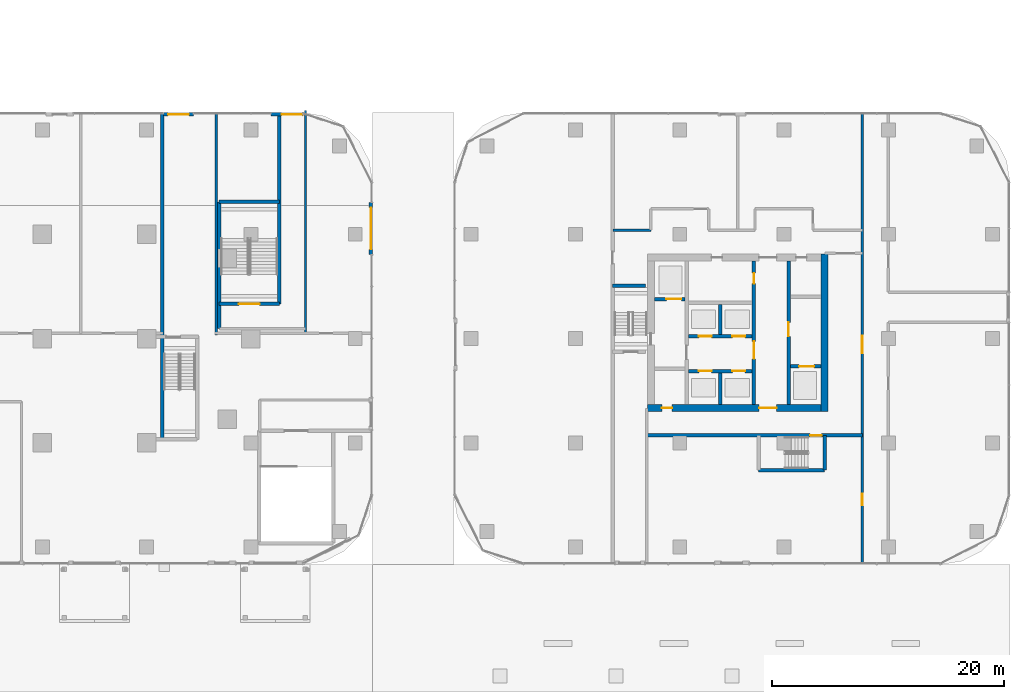
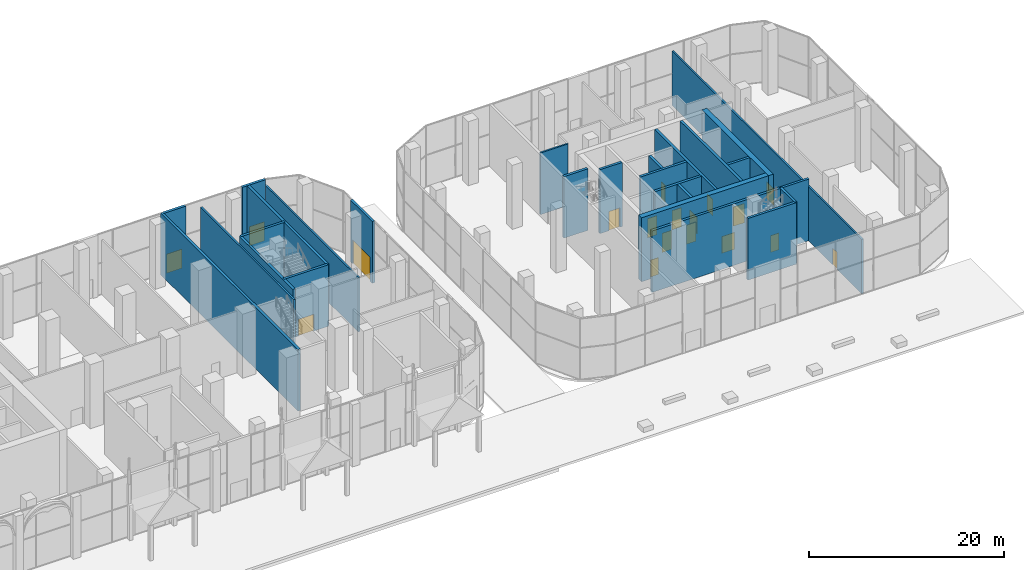
# One storey, part 33 of 54: 26 walls, 18 doors, 18 openings.
"""IFC4 building model written with IfcOpenShell, lengths in metres."""

import ifcopenshell
import ifcopenshell.guid

model = None  # the IFC model being written
_history = None  # IfcOwnerHistory: only IFC2X3 demands one
_inside = {}  # id of a spatial element -> (the spatial element, [elements in it])
_under = {}  # id of a project, library or spatial element -> (it, [spatial elements below it])
_declared = {}  # id of a project -> (the project, [libraries it declares])
_typed = {}  # id of a type object -> (the type object, [elements of that type])
_made_of = {}  # id of a material, layer set ... -> (it, [elements and type objects made of it])


def new_model(schema):
    """Start an empty IFC model of exactly this schema.

    Asked for "IFC4X3", IfcOpenShell would pick the latest addendum, in which some entities
    have other attributes; the version numbers below select the first issue.
    IFC2X3 requires an IfcOwnerHistory on every rooted entity: one is made here for all.
    """
    global model, _history
    if schema == "IFC4X3":
        model = ifcopenshell.file(schema_version=(4, 3, 0, 0))
    else:
        model = ifcopenshell.file(schema=schema)
    _inside.clear()
    _under.clear()
    _declared.clear()
    _typed.clear()
    _made_of.clear()
    _history = None
    if model.schema == "IFC2X3":
        org = make("IfcOrganization", Name="unknown")
        user = make(
            "IfcPersonAndOrganization",
            ThePerson=make("IfcPerson", FamilyName="unknown"),
            TheOrganization=org,
        )
        app = make(
            "IfcApplication",
            ApplicationDeveloper=org,
            Version="unknown",
            ApplicationFullName="unknown",
            ApplicationIdentifier="unknown",
        )
        _history = make(
            "IfcOwnerHistory",
            OwningUser=user,
            OwningApplication=app,
            ChangeAction="ADDED",
            CreationDate=0,
        )
    return model


def make(cls, **values):
    """One entity of the class cls with the attributes given. An attribute that is None is left unset."""
    return model.create_entity(
        cls, **{name: value for name, value in values.items() if value is not None}
    )


def rooted(cls, **values):
    """An entity with a GlobalId (a new one), such as an element, a storey or a relation."""
    return make(cls, GlobalId=ifcopenshell.guid.new(), OwnerHistory=_history, **values)


def si_unit(unit_type, name, prefix=None):
    """IfcSIUnit, for example si_unit("LENGTHUNIT", "METRE", prefix="MILLI")."""
    return make("IfcSIUnit", UnitType=unit_type, Prefix=prefix, Name=name)


def assignment(units):
    """IfcUnitAssignment: the units of a project."""
    return None if units is None else make("IfcUnitAssignment", Units=units)


def point(xyz):
    """IfcCartesianPoint."""
    return None if xyz is None else make("IfcCartesianPoint", Coordinates=xyz)


def direction(xyz):
    """IfcDirection."""
    return None if xyz is None else make("IfcDirection", DirectionRatios=xyz)


def frame(location, z_axis=None, x_axis=None):
    """IfcAxis2Placement3D, a coordinate frame: its origin and axes. An axis left out is left unset."""
    return make(
        "IfcAxis2Placement3D",
        Location=point(location),
        Axis=direction(z_axis),
        RefDirection=direction(x_axis),
    )


def frame_2d(location, x_axis=None):
    """IfcAxis2Placement2D, a coordinate frame in the plane: its origin and x axis."""
    return make(
        "IfcAxis2Placement2D", Location=point(location), RefDirection=direction(x_axis)
    )


def origin():
    """The frame at (0, 0, 0) with its axes left unset."""
    return frame((0.0, 0.0, 0.0))


def place(relative_to, where):
    """IfcLocalPlacement: puts the frame where relative to a parent placement (None: the world)."""
    return make(
        "IfcLocalPlacement", PlacementRelTo=relative_to, RelativePlacement=where
    )


def context(
    kind, dimensions, precision=None, world=None, true_north=None, identifier=None
):
    """IfcGeometricRepresentationContext, for example the 3D "Model" context."""
    return make(
        "IfcGeometricRepresentationContext",
        ContextIdentifier=identifier,
        ContextType=kind,
        CoordinateSpaceDimension=dimensions,
        Precision=precision,
        WorldCoordinateSystem=world,
        TrueNorth=true_north,
    )


def subcontext(parent, identifier, kind, view, scale=None):
    """IfcGeometricRepresentationSubContext, for example "Body" below "Model"."""
    return make(
        "IfcGeometricRepresentationSubContext",
        ContextIdentifier=identifier,
        ContextType=kind,
        ParentContext=parent,
        TargetScale=scale,
        TargetView=view,
    )


def project(units=None, contexts=None):
    """IfcProject with its units and contexts."""
    return rooted(
        "IfcProject",
        Name="project",
        RepresentationContexts=contexts,
        UnitsInContext=assignment(units),
    )


def spatial(cls, under=None, at=None, **own):
    """A site, building, storey or space (cls), placed at a placement, below another one or the project."""
    s = rooted(cls, ObjectPlacement=at, **own)
    if under is not None:
        _under.setdefault(under.id(), (under, []))[1].append(s)
    return s


def profile(cls, at=None, kind="AREA", **sizes):
    """A parametric profile (cls). Its sizes go by their IFC names, for example OverallWidth=200.0."""
    return make(cls, ProfileType=kind, Position=at, **sizes)


def rectangle(**sizes):
    """IfcRectangleProfileDef."""
    return profile("IfcRectangleProfileDef", **sizes)


def extrude(swept, where, along, depth):
    """IfcExtrudedAreaSolid: the profile swept, set in the frame where, extruded along a direction by depth."""
    return make(
        "IfcExtrudedAreaSolid",
        SweptArea=swept,
        Position=where,
        ExtrudedDirection=direction(along),
        Depth=depth,
    )


def shape(context_of_items, identifier, shape_type, items):
    """IfcShapeRepresentation: the items that make up one representation, for example the "Body"."""
    return make(
        "IfcShapeRepresentation",
        ContextOfItems=context_of_items,
        RepresentationIdentifier=identifier,
        RepresentationType=shape_type,
        Items=items,
    )


def material(Name=None, Category=None):
    """IfcMaterial."""
    return make("IfcMaterial", Name=Name, Category=Category)


def layer(
    of_material, thickness, ventilated=None, Name=None, Category=None, Priority=None
):
    """IfcMaterialLayer: one layer of a wall or slab, of a material (None: an air gap)."""
    return make(
        "IfcMaterialLayer",
        Material=of_material,
        LayerThickness=thickness,
        IsVentilated=ventilated,
        Name=Name,
        Category=Category,
        Priority=Priority,
    )


def layer_set(layers, Name=None):
    """IfcMaterialLayerSet."""
    return make("IfcMaterialLayerSet", MaterialLayers=layers, LayerSetName=Name)


def made_of(thing, what):
    """Note that an element or type object is made of a material, layer set ...; save() writes the relation."""
    if what is not None:
        _made_of.setdefault(what.id(), (what, []))[1].append(thing)
    return thing


def type_object(cls, material=None, **own):
    """A type object (cls), such as IfcWallType, which elements share."""
    return made_of(rooted(cls, **own), material)


def element(
    cls,
    number,
    at=None,
    inside=None,
    cuts=None,
    type_object=None,
    material=None,
    context=None,
    identifier="Body",
    shape_type=None,
    held_by="IfcProductDefinitionShape",
    body=None,
    shapes=None,
    **own,
):
    """One element of the class cls, such as IfcWall. Its Tag is "e" and its number.

    at: its placement. inside: the storey or other place that contains it. cuts: it is an
    opening in that element (IfcRelVoidsElement). A single representation is given by context,
    identifier, shape_type and body (its items); several are given by shapes. held_by: the class
    of the entity that holds the representations. save() writes the other relations.
    """
    e = rooted(cls, Tag="e%d" % number, ObjectPlacement=at, **own)
    if body is not None:
        shapes = [shape(context, identifier, shape_type, body)]
    if shapes is not None:
        e.Representation = make(held_by, Representations=shapes)
    if inside is not None:
        _inside.setdefault(inside.id(), (inside, []))[1].append(e)
    if cuts is not None:
        rooted(
            "IfcRelVoidsElement", RelatingBuildingElement=cuts, RelatedOpeningElement=e
        )
    if type_object is not None:
        _typed.setdefault(type_object.id(), (type_object, []))[1].append(e)
    return made_of(e, material)


def fill(opening, filler):
    """IfcRelFillsElement: the door or window that sits in an opening."""
    return rooted(
        "IfcRelFillsElement",
        RelatingOpeningElement=opening,
        RelatedBuildingElement=filler,
    )


def aggregate(whole, parts):
    """IfcRelAggregates: a whole, such as a stair, and the parts it consists of."""
    return rooted("IfcRelAggregates", RelatingObject=whole, RelatedObjects=parts)


def save(model, path):
    """Write the relations noted so far, then the file.

    IfcRelAggregates (storeys below a building ...), IfcRelContainedInSpatialStructure (elements
    in a storey), IfcRelDefinesByType, IfcRelAssociatesMaterial and IfcRelDeclares: one each for
    every whole, place, type object, material and project.
    """
    for whole, parts in _under.values():
        aggregate(whole, parts)
    for where, things in _inside.values():
        rooted(
            "IfcRelContainedInSpatialStructure",
            RelatedElements=things,
            RelatingStructure=where,
        )
    for kind, things in _typed.values():
        rooted("IfcRelDefinesByType", RelatedObjects=things, RelatingType=kind)
    for what, things in _made_of.values():
        rooted("IfcRelAssociatesMaterial", RelatedObjects=things, RelatingMaterial=what)
    for by, libraries in _declared.values():
        rooted("IfcRelDeclares", RelatingContext=by, RelatedDefinitions=libraries)
    model.write(path)


model = new_model("IFC4")

# Units and contexts
model_context = context("Model", 3, precision=1e-05, world=origin(), true_north=direction((0.0, 1.0)))
body_context = subcontext(model_context, "Body", "Model", "MODEL_VIEW")
ifc_project = project(units=[si_unit("LENGTHUNIT", "METRE"), si_unit("AREAUNIT", "SQUARE_METRE"), si_unit("VOLUMEUNIT", "CUBIC_METRE"), si_unit("PLANEANGLEUNIT", "RADIAN"), si_unit("MASSUNIT", "GRAM", prefix="KILO")], contexts=[model_context])

# Site, building, storey
site_placement = place(None, origin())
site = spatial("IfcSite", under=ifc_project, at=site_placement, CompositionType="ELEMENT")
building_placement = place(site_placement, origin())
building = spatial("IfcBuilding", under=site, at=building_placement, Name="Ogive Portal Towers", CompositionType="ELEMENT")
storey_placement = place(building_placement, origin())
storey = spatial("IfcBuildingStorey", under=building, at=storey_placement, Name="L00", CompositionType="ELEMENT", Elevation=0.0)

# Wall, openings, doors
ifc_material_1 = material(Name="Concrete C60/75", Category="concrete")
ifc_layer_1 = layer(ifc_material_1, 0.300048828125)
ifc_layer_set_1 = layer_set([ifc_layer_1], Name="CORE WALL 300 C60")
wall_type_1 = type_object("IfcWallType", Name="CORE WALL 300 C60", PredefinedType="SHEAR", material=ifc_layer_set_1)
wall_1_placement = place(storey_placement, frame((137.89990234375, 24.800048828125, 0.0), z_axis=(0.0, 0.0, 1.0), x_axis=(0.0, 1.0, 0.0)))
wall_1 = element("IfcWall", 1, at=wall_1_placement, inside=storey, type_object=wall_type_1, Name="Tower B core wall BX2 L00", PredefinedType="SHEAR", context=body_context, shape_type="SweptSolid", body=[
    extrude(rectangle(XDim=12.39990234375, YDim=0.300048828125, at=frame_2d((6.199951171875, 0.0))), origin(), (0.0, 0.0, 1.0), 8.0),
])
opening_1_placement = place(wall_1_placement, frame((3.949951171875, 0.0, 0.0)))
opening_1 = element("IfcOpeningElement", 2, at=opening_1_placement, cuts=wall_1, Name="Opening P00-044", PredefinedType="OPENING", context=body_context, shape_type="SweptSolid", body=[
    extrude(rectangle(XDim=1.5, YDim=2.10009765625, at=frame_2d((0.75, 1.050048828125))), frame((0.0, 0.16015625, 0.0), z_axis=(0.0, -1.0, 0.0), x_axis=(1.0, 0.0, 0.0)), (0.0, 0.0, 1.0), 0.320068359375),
])
opening_2_placement = place(wall_1_placement, frame((10.449951171875, 0.0, 0.0)))
opening_2 = element("IfcOpeningElement", 3, at=opening_2_placement, cuts=wall_1, Name="Opening P00-059", PredefinedType="OPENING", context=body_context, shape_type="SweptSolid", body=[
    extrude(rectangle(XDim=0.89990234375, YDim=2.10009765625, at=frame_2d((0.449951171875, 1.050048828125))), frame((0.0, 0.16015625, 0.0), z_axis=(0.0, -1.0, 0.0), x_axis=(1.0, 0.0, 0.0)), (0.0, 0.0, 1.0), 0.320068359375),
])
ifc_material_2 = material(Name="Steel fire door", Category="steel")
door_type_1 = type_object("IfcDoorType", Name="DT-SWING-1500x2100-FD90S", OperationType="SINGLE_SWING_LEFT", PredefinedType="DOOR", material=ifc_material_2)
door_1_placement = place(opening_1_placement, origin())
door_1 = element("IfcDoor", 4, at=door_1_placement, inside=storey, type_object=door_type_1, Name="Door P00-044", OperationType="SINGLE_SWING_RIGHT", OverallHeight=2.10009765625, OverallWidth=1.5, PredefinedType="DOOR", context=body_context, shape_type="SweptSolid", body=[
    extrude(rectangle(XDim=1.5, YDim=2.10009765625, at=frame_2d((0.75, 1.050048828125))), frame((0.0, 0.02490234375, 0.0), z_axis=(0.0, -1.0, 0.0), x_axis=(1.0, 0.0, 0.0)), (0.0, 0.0, 1.0), 0.050048828125),
])
fill(opening_1, door_1)
door_type_2 = type_object("IfcDoorType", Name="DT-SWING-900x2100-FD90S", OperationType="SINGLE_SWING_LEFT", PredefinedType="DOOR", material=ifc_material_2)
door_2_placement = place(opening_2_placement, origin())
door_2 = element("IfcDoor", 5, at=door_2_placement, inside=storey, type_object=door_type_2, Name="Door P00-059", OperationType="SINGLE_SWING_RIGHT", OverallHeight=2.10009765625, OverallWidth=0.89990234375, PredefinedType="DOOR", context=body_context, shape_type="SweptSolid", body=[
    extrude(rectangle(XDim=0.89990234375, YDim=2.10009765625, at=frame_2d((0.449951171875, 1.050048828125))), frame((0.0, 0.02490234375, 0.0), z_axis=(0.0, -1.0, 0.0), x_axis=(1.0, 0.0, 0.0)), (0.0, 0.0, 1.0), 0.050048828125),
])
fill(opening_2, door_2)

# Wall, opening, door
wall_2_placement = place(storey_placement, frame((140.89990234375, 24.800048828125, 0.0), z_axis=(0.0, 0.0, 1.0), x_axis=(0.0, 1.0, 0.0)))
wall_2 = element("IfcWall", 6, at=wall_2_placement, inside=storey, type_object=wall_type_1, Name="Tower B core wall BX3 L00", PredefinedType="SHEAR", context=body_context, shape_type="SweptSolid", body=[
    extrude(rectangle(XDim=12.39990234375, YDim=0.300048828125, at=frame_2d((6.199951171875, 0.0))), origin(), (0.0, 0.0, 1.0), 8.0),
])
opening_3_placement = place(wall_2_placement, frame((5.89990234375, 0.0, 0.0)))
opening_3 = element("IfcOpeningElement", 7, at=opening_3_placement, cuts=wall_2, Name="Opening P00-046", PredefinedType="OPENING", context=body_context, shape_type="SweptSolid", body=[
    extrude(rectangle(XDim=1.199951171875, YDim=2.10009765625, at=frame_2d((0.60009765625, 1.050048828125))), frame((0.0, 0.16015625, 0.0), z_axis=(0.0, -1.0, 0.0), x_axis=(1.0, 0.0, 0.0)), (0.0, 0.0, 1.0), 0.320068359375),
])
door_type_3 = type_object("IfcDoorType", Name="DT-SWING-1200x2100-FD90S", OperationType="SINGLE_SWING_LEFT", PredefinedType="DOOR", material=ifc_material_2)
door_3_placement = place(opening_3_placement, origin())
door_3 = element("IfcDoor", 8, at=door_3_placement, inside=storey, type_object=door_type_3, Name="Door P00-046", OperationType="SINGLE_SWING_RIGHT", OverallHeight=2.10009765625, OverallWidth=1.199951171875, PredefinedType="DOOR", context=body_context, shape_type="SweptSolid", body=[
    extrude(rectangle(XDim=1.199951171875, YDim=2.10009765625, at=frame_2d((0.60009765625, 1.050048828125))), frame((0.0, 0.02490234375, 0.0), z_axis=(0.0, -1.0, 0.0), x_axis=(1.0, 0.0, 0.0)), (0.0, 0.0, 1.0), 0.050048828125),
])
fill(opening_3, door_3)

# Walls
wall_3_placement = place(storey_placement, frame((135.0, 24.800048828125, 0.0), z_axis=(0.0, 0.0, 1.0), x_axis=(0.0, 1.0, 0.0)))
element("IfcWall", 9, at=wall_3_placement, inside=storey, type_object=wall_type_1, Name="Tower B core wall BX4 L00", PredefinedType="SHEAR", context=body_context, shape_type="SweptSolid", body=[
    extrude(rectangle(XDim=2.75, YDim=0.300048828125, at=frame_2d((1.375, 0.0))), origin(), (0.0, 0.0, 1.0), 8.0),
])
wall_4_placement = place(storey_placement, frame((135.0, 30.85009765625, 0.0), z_axis=(0.0, 0.0, 1.0), x_axis=(0.0, 1.0, 0.0)))
element("IfcWall", 10, at=wall_4_placement, inside=storey, type_object=wall_type_1, Name="Tower B core wall BX5 L00", PredefinedType="SHEAR", context=body_context, shape_type="SweptSolid", body=[
    extrude(rectangle(XDim=2.599853515625, YDim=0.300048828125, at=frame_2d((1.2998046875, 0.0))), origin(), (0.0, 0.0, 1.0), 8.0),
])

# Wall, openings, doors
wall_5_placement = place(storey_placement, frame((132.25, 27.699951171875, 0.0), z_axis=(0.0, 0.0, 1.0), x_axis=(1.0, 0.0, 0.0)))
wall_5 = element("IfcWall", 11, at=wall_5_placement, inside=storey, type_object=wall_type_1, Name="Tower B core wall BY1 L00", PredefinedType="SHEAR", context=body_context, shape_type="SweptSolid", body=[
    extrude(rectangle(XDim=5.5, YDim=0.300048828125, at=frame_2d((2.75, 0.0))), origin(), (0.0, 0.0, 1.0), 8.0),
])
opening_4_placement = place(wall_5_placement, frame((0.89990234375, 0.0, 0.0)))
opening_4 = element("IfcOpeningElement", 12, at=opening_4_placement, cuts=wall_5, Name="Opening P00-052", PredefinedType="OPENING", context=body_context, shape_type="SweptSolid", body=[
    extrude(rectangle(XDim=1.10009765625, YDim=2.39990234375, at=frame_2d((0.550048828125, 1.199951171875))), frame((0.0, 0.16015625, 0.0), z_axis=(0.0, -1.0, 0.0), x_axis=(1.0, 0.0, 0.0)), (0.0, 0.0, 1.0), 0.320068359375),
])
opening_5_placement = place(wall_5_placement, frame((3.800048828125, 0.0, 0.0)))
opening_5 = element("IfcOpeningElement", 13, at=opening_5_placement, cuts=wall_5, Name="Opening P00-053", PredefinedType="OPENING", context=body_context, shape_type="SweptSolid", body=[
    extrude(rectangle(XDim=1.10009765625, YDim=2.39990234375, at=frame_2d((0.550048828125, 1.199951171875))), frame((0.0, 0.16015625, 0.0), z_axis=(0.0, -1.0, 0.0), x_axis=(1.0, 0.0, 0.0)), (0.0, 0.0, 1.0), 0.320068359375),
])
ifc_material_3 = material(Name="Stainless steel", Category="steel")
door_type_4 = type_object("IfcDoorType", Name="DT-LD-1100x2400", OperationType="SLIDING_TO_LEFT", PredefinedType="DOOR", material=ifc_material_3)
door_4_placement = place(opening_4_placement, origin())
door_4 = element("IfcDoor", 14, at=door_4_placement, inside=storey, type_object=door_type_4, Name="Door P00-052", OperationType="SLIDING_TO_LEFT", OverallHeight=2.39990234375, OverallWidth=1.10009765625, PredefinedType="DOOR", context=body_context, shape_type="SweptSolid", body=[
    extrude(rectangle(XDim=1.10009765625, YDim=2.39990234375, at=frame_2d((0.550048828125, 1.199951171875))), frame((0.0, 0.02490234375, 0.0), z_axis=(0.0, -1.0, 0.0), x_axis=(1.0, 0.0, 0.0)), (0.0, 0.0, 1.0), 0.050048828125),
])
fill(opening_4, door_4)
door_5_placement = place(opening_5_placement, origin())
door_5 = element("IfcDoor", 15, at=door_5_placement, inside=storey, type_object=door_type_4, Name="Door P00-053", OperationType="SLIDING_TO_LEFT", OverallHeight=2.39990234375, OverallWidth=1.10009765625, PredefinedType="DOOR", context=body_context, shape_type="SweptSolid", body=[
    extrude(rectangle(XDim=1.10009765625, YDim=2.39990234375, at=frame_2d((0.550048828125, 1.199951171875))), frame((0.0, 0.02490234375, 0.0), z_axis=(0.0, -1.0, 0.0), x_axis=(1.0, 0.0, 0.0)), (0.0, 0.0, 1.0), 0.050048828125),
])
fill(opening_5, door_5)

wall_6_placement = place(storey_placement, frame((132.25, 30.699951171875, 0.0), z_axis=(0.0, 0.0, 1.0), x_axis=(1.0, 0.0, 0.0)))
wall_6 = element("IfcWall", 16, at=wall_6_placement, inside=storey, type_object=wall_type_1, Name="Tower B core wall BY2 L00", PredefinedType="SHEAR", context=body_context, shape_type="SweptSolid", body=[
    extrude(rectangle(XDim=5.5, YDim=0.300048828125, at=frame_2d((2.75, 0.0))), origin(), (0.0, 0.0, 1.0), 8.0),
])
opening_6_placement = place(wall_6_placement, frame((0.89990234375, 0.0, 0.0)))
opening_6 = element("IfcOpeningElement", 17, at=opening_6_placement, cuts=wall_6, Name="Opening P00-054", PredefinedType="OPENING", context=body_context, shape_type="SweptSolid", body=[
    extrude(rectangle(XDim=1.10009765625, YDim=2.39990234375, at=frame_2d((0.550048828125, 1.199951171875))), frame((0.0, 0.16015625, 0.0), z_axis=(0.0, -1.0, 0.0), x_axis=(1.0, 0.0, 0.0)), (0.0, 0.0, 1.0), 0.320068359375),
])
opening_7_placement = place(wall_6_placement, frame((3.800048828125, 0.0, 0.0)))
opening_7 = element("IfcOpeningElement", 18, at=opening_7_placement, cuts=wall_6, Name="Opening P00-055", PredefinedType="OPENING", context=body_context, shape_type="SweptSolid", body=[
    extrude(rectangle(XDim=1.10009765625, YDim=2.39990234375, at=frame_2d((0.550048828125, 1.199951171875))), frame((0.0, 0.16015625, 0.0), z_axis=(0.0, -1.0, 0.0), x_axis=(1.0, 0.0, 0.0)), (0.0, 0.0, 1.0), 0.320068359375),
])
door_6_placement = place(opening_6_placement, origin())
door_6 = element("IfcDoor", 19, at=door_6_placement, inside=storey, type_object=door_type_4, Name="Door P00-054", OperationType="SLIDING_TO_LEFT", OverallHeight=2.39990234375, OverallWidth=1.10009765625, PredefinedType="DOOR", context=body_context, shape_type="SweptSolid", body=[
    extrude(rectangle(XDim=1.10009765625, YDim=2.39990234375, at=frame_2d((0.550048828125, 1.199951171875))), frame((0.0, 0.02490234375, 0.0), z_axis=(0.0, -1.0, 0.0), x_axis=(1.0, 0.0, 0.0)), (0.0, 0.0, 1.0), 0.050048828125),
])
fill(opening_6, door_6)
door_7_placement = place(opening_7_placement, origin())
door_7 = element("IfcDoor", 20, at=door_7_placement, inside=storey, type_object=door_type_4, Name="Door P00-055", OperationType="SLIDING_TO_LEFT", OverallHeight=2.39990234375, OverallWidth=1.10009765625, PredefinedType="DOOR", context=body_context, shape_type="SweptSolid", body=[
    extrude(rectangle(XDim=1.10009765625, YDim=2.39990234375, at=frame_2d((0.550048828125, 1.199951171875))), frame((0.0, 0.02490234375, 0.0), z_axis=(0.0, -1.0, 0.0), x_axis=(1.0, 0.0, 0.0)), (0.0, 0.0, 1.0), 0.050048828125),
])
fill(opening_7, door_7)

# Wall, opening, door
wall_7_placement = place(storey_placement, frame((129.300048828125, 33.89990234375, 0.0), z_axis=(0.0, 0.0, 1.0), x_axis=(1.0, 0.0, 0.0)))
wall_7 = element("IfcWall", 21, at=wall_7_placement, inside=storey, type_object=wall_type_1, Name="Tower B core wall BY5 L00", PredefinedType="SHEAR", context=body_context, shape_type="SweptSolid", body=[
    extrude(rectangle(XDim=2.64990234375, YDim=0.300048828125, at=frame_2d((1.324951171875, 0.0))), origin(), (0.0, 0.0, 1.0), 8.0),
])
opening_8_placement = place(wall_7_placement, frame((1.050048828125, 0.0, 0.0)))
opening_8 = element("IfcOpeningElement", 22, at=opening_8_placement, cuts=wall_7, Name="Opening P00-056", PredefinedType="OPENING", context=body_context, shape_type="SweptSolid", body=[
    extrude(rectangle(XDim=1.300048828125, YDim=2.39990234375, at=frame_2d((0.64990234375, 1.199951171875))), frame((0.0, 0.16015625, 0.0), z_axis=(0.0, -1.0, 0.0), x_axis=(1.0, 0.0, 0.0)), (0.0, 0.0, 1.0), 0.320068359375),
])
door_type_5 = type_object("IfcDoorType", Name="DT-LD-1300x2400", OperationType="SLIDING_TO_LEFT", PredefinedType="DOOR", material=ifc_material_3)
door_8_placement = place(opening_8_placement, origin())
door_8 = element("IfcDoor", 23, at=door_8_placement, inside=storey, type_object=door_type_5, Name="Door P00-056", OperationType="SLIDING_TO_LEFT", OverallHeight=2.39990234375, OverallWidth=1.300048828125, PredefinedType="DOOR", context=body_context, shape_type="SweptSolid", body=[
    extrude(rectangle(XDim=1.300048828125, YDim=2.39990234375, at=frame_2d((0.64990234375, 1.199951171875))), frame((0.0, 0.02490234375, 0.0), z_axis=(0.0, -1.0, 0.0), x_axis=(1.0, 0.0, 0.0)), (0.0, 0.0, 1.0), 0.050048828125),
])
fill(opening_8, door_8)

wall_8_placement = place(storey_placement, frame((141.050048828125, 28.10009765625, 0.0), z_axis=(0.0, 0.0, 1.0), x_axis=(1.0, 0.0, 0.0)))
wall_8 = element("IfcWall", 24, at=wall_8_placement, inside=storey, type_object=wall_type_1, Name="Tower B core wall BY6 L00", PredefinedType="SHEAR", context=body_context, shape_type="SweptSolid", body=[
    extrude(rectangle(XDim=2.64990234375, YDim=0.300048828125, at=frame_2d((1.324951171875, 0.0))), origin(), (0.0, 0.0, 1.0), 8.0),
])
opening_9_placement = place(wall_8_placement, frame((0.75, 0.0, 0.0)))
opening_9 = element("IfcOpeningElement", 25, at=opening_9_placement, cuts=wall_8, Name="Opening P00-057", PredefinedType="OPENING", context=body_context, shape_type="SweptSolid", body=[
    extrude(rectangle(XDim=1.300048828125, YDim=2.39990234375, at=frame_2d((0.64990234375, 1.199951171875))), frame((0.0, 0.16015625, 0.0), z_axis=(0.0, -1.0, 0.0), x_axis=(1.0, 0.0, 0.0)), (0.0, 0.0, 1.0), 0.320068359375),
])
door_9_placement = place(opening_9_placement, origin())
door_9 = element("IfcDoor", 26, at=door_9_placement, inside=storey, type_object=door_type_5, Name="Door P00-057", OperationType="SLIDING_TO_LEFT", OverallHeight=2.39990234375, OverallWidth=1.300048828125, PredefinedType="DOOR", context=body_context, shape_type="SweptSolid", body=[
    extrude(rectangle(XDim=1.300048828125, YDim=2.39990234375, at=frame_2d((0.64990234375, 1.199951171875))), frame((0.0, 0.02490234375, 0.0), z_axis=(0.0, -1.0, 0.0), x_axis=(1.0, 0.0, 0.0)), (0.0, 0.0, 1.0), 0.050048828125),
])
fill(opening_9, door_9)

# Wall, openings, doors
ifc_layer_2 = layer(ifc_material_1, 0.60009765625)
ifc_layer_set_2 = layer_set([ifc_layer_2], Name="CORE WALL 600 C60")
wall_type_2 = type_object("IfcWallType", Name="CORE WALL 600 C60", PredefinedType="SHEAR", material=ifc_layer_set_2)
wall_9_placement = place(storey_placement, frame((128.699951171875, 24.5, 0.0), z_axis=(0.0, 0.0, 1.0), x_axis=(1.0, 0.0, 0.0)))
wall_9 = element("IfcWall", 27, at=wall_9_placement, inside=storey, type_object=wall_type_2, Name="Tower B core wall BS L00", PredefinedType="SHEAR", context=body_context, shape_type="SweptSolid", body=[
    extrude(rectangle(XDim=15.0, YDim=0.60009765625, at=frame_2d((7.5, 0.0))), origin(), (0.0, 0.0, 1.0), 8.0),
])
opening_10_placement = place(wall_9_placement, frame((9.64990234375, 0.0, 0.0)))
opening_10 = element("IfcOpeningElement", 28, at=opening_10_placement, cuts=wall_9, Name="Opening P00-048", PredefinedType="OPENING", context=body_context, shape_type="SweptSolid", body=[
    extrude(rectangle(XDim=1.5, YDim=2.10009765625, at=frame_2d((0.75, 1.050048828125))), frame((0.0, 0.31005859375, 0.0), z_axis=(0.0, -1.0, 0.0), x_axis=(1.0, 0.0, 0.0)), (0.0, 0.0, 1.0), 0.6201171875),
])
opening_11_placement = place(wall_9_placement, frame((1.25, 0.0, 0.0)))
opening_11 = element("IfcOpeningElement", 29, at=opening_11_placement, cuts=wall_9, Name="Opening P00-050", PredefinedType="OPENING", context=body_context, shape_type="SweptSolid", body=[
    extrude(rectangle(XDim=0.89990234375, YDim=2.10009765625, at=frame_2d((0.449951171875, 1.050048828125))), frame((0.0, 0.31005859375, 0.0), z_axis=(0.0, -1.0, 0.0), x_axis=(1.0, 0.0, 0.0)), (0.0, 0.0, 1.0), 0.6201171875),
])
door_10_placement = place(opening_10_placement, origin())
door_10 = element("IfcDoor", 30, at=door_10_placement, inside=storey, type_object=door_type_1, Name="Door P00-048", OperationType="SINGLE_SWING_LEFT", OverallHeight=2.10009765625, OverallWidth=1.5, PredefinedType="DOOR", context=body_context, shape_type="SweptSolid", body=[
    extrude(rectangle(XDim=1.5, YDim=2.10009765625, at=frame_2d((0.75, 1.050048828125))), frame((0.0, 0.02490234375, 0.0), z_axis=(0.0, -1.0, 0.0), x_axis=(1.0, 0.0, 0.0)), (0.0, 0.0, 1.0), 0.050048828125),
])
fill(opening_10, door_10)
door_11_placement = place(opening_11_placement, origin())
door_11 = element("IfcDoor", 31, at=door_11_placement, inside=storey, type_object=door_type_2, Name="Riser access door P00-050", OperationType="SINGLE_SWING_LEFT", OverallHeight=2.10009765625, OverallWidth=0.89990234375, PredefinedType="DOOR", context=body_context, shape_type="SweptSolid", body=[
    extrude(rectangle(XDim=0.89990234375, YDim=2.10009765625, at=frame_2d((0.449951171875, 1.050048828125))), frame((0.0, 0.02490234375, 0.0), z_axis=(0.0, -1.0, 0.0), x_axis=(1.0, 0.0, 0.0)), (0.0, 0.0, 1.0), 0.050048828125),
])
fill(opening_11, door_11)

# Wall
wall_10_placement = place(storey_placement, frame((144.0, 24.199951171875, 0.0), z_axis=(0.0, 0.0, 1.0), x_axis=(0.0, 1.0, 0.0)))
element("IfcWall", 32, at=wall_10_placement, inside=storey, type_object=wall_type_2, Name="Tower B core wall BE L00", PredefinedType="SHEAR", context=body_context, shape_type="SweptSolid", body=[
    extrude(rectangle(XDim=13.60009765625, YDim=0.60009765625, at=frame_2d((6.800048828125, 0.0))), origin(), (0.0, 0.0, 1.0), 8.0),
])

# Wall, opening, door
ifc_material_4 = material(Name="Limestone cladding on lightweight block wall", Category="masonry")
ifc_layer_3 = layer(ifc_material_4, 0.300048828125)
ifc_layer_set_3 = layer_set([ifc_layer_3], Name="EXTERNAL WALL 300 STONE")
wall_type_3 = type_object("IfcWallType", Name="EXTERNAL WALL 300 STONE", PredefinedType="SOLIDWALL", material=ifc_layer_set_3)
wall_11_placement = place(storey_placement, frame((104.85009765625, 42.25, 0.0), z_axis=(0.0, 0.0, 1.0), x_axis=(0.0, -1.0, 0.0)))
wall_11 = element("IfcWall", 33, at=wall_11_placement, inside=storey, type_object=wall_type_3, Name="A:L00:f05:bay1", PredefinedType="SOLIDWALL", context=body_context, shape_type="SweptSolid", body=[
    extrude(rectangle(XDim=4.5, YDim=0.300048828125, at=frame_2d((2.25, 0.0))), origin(), (0.0, 0.0, 1.0), 7.699951171875),
])
opening_12_placement = place(wall_11_placement, frame((0.449951171875, 0.0, 0.0)))
opening_12 = element("IfcOpeningElement", 34, at=opening_12_placement, cuts=wall_11, Name="Opening DX008", PredefinedType="OPENING", context=body_context, shape_type="SweptSolid", body=[
    extrude(rectangle(XDim=3.60009765625, YDim=3.0, at=frame_2d((1.800048828125, 1.5))), frame((0.0, 0.16015625, 0.0), z_axis=(0.0, -1.0, 0.0), x_axis=(1.0, 0.0, 0.0)), (0.0, 0.0, 1.0), 0.320068359375),
])
ifc_material_5 = material(Name="Aluminium 6063 anodised", Category="aluminium")
door_type_6 = type_object("IfcDoorType", Name="ENTRANCE DOOR 3600x3000", OperationType="DOUBLE_DOOR_SINGLE_SWING", PredefinedType="DOOR", material=ifc_material_5)
door_12_placement = place(opening_12_placement, origin())
door_12 = element("IfcDoor", 35, at=door_12_placement, inside=storey, type_object=door_type_6, Name="A:L00:f05:bay1/o0", OperationType="SINGLE_SWING_LEFT", OverallHeight=3.0, OverallWidth=3.60009765625, PredefinedType="DOOR", context=body_context, shape_type="SweptSolid", body=[
    extrude(rectangle(XDim=3.60009765625, YDim=3.0, at=frame_2d((1.800048828125, 1.5))), frame((0.0, 0.02490234375, 0.0), z_axis=(0.0, -1.0, 0.0), x_axis=(1.0, 0.0, 0.0)), (0.0, 0.0, 1.0), 0.050048828125),
])
fill(opening_12, door_12)

wall_12_placement = place(storey_placement, frame((96.25, 49.85009765625, 0.0), z_axis=(0.0, 0.0, 1.0), x_axis=(1.0, 0.0, 0.0)))
wall_12 = element("IfcWall", 36, at=wall_12_placement, inside=storey, type_object=wall_type_3, Name="A:L00:f08:bay0", PredefinedType="SOLIDWALL", context=body_context, shape_type="SweptSolid", body=[
    extrude(rectangle(XDim=2.75, YDim=0.300048828125, at=frame_2d((1.375, 0.0))), origin(), (0.0, 0.0, 1.0), 7.699951171875),
])
opening_13_placement = place(wall_12_placement, frame((0.89990234375, 0.0, 0.0)))
opening_13 = element("IfcOpeningElement", 37, at=opening_13_placement, cuts=wall_12, Name="Opening DX009", PredefinedType="OPENING", context=body_context, shape_type="SweptSolid", body=[
    extrude(rectangle(XDim=1.800048828125, YDim=2.39990234375, at=frame_2d((0.89990234375, 1.199951171875))), frame((0.0, 0.16015625, 0.0), z_axis=(0.0, -1.0, 0.0), x_axis=(1.0, 0.0, 0.0)), (0.0, 0.0, 1.0), 0.320068359375),
])
ifc_material_6 = material(Name="Steel S355", Category="steel")
door_type_7 = type_object("IfcDoorType", Name="EXIT DOOR 1800x2400", OperationType="DOUBLE_DOOR_SINGLE_SWING", PredefinedType="DOOR", material=ifc_material_6)
door_13_placement = place(opening_13_placement, origin())
door_13 = element("IfcDoor", 38, at=door_13_placement, inside=storey, type_object=door_type_7, Name="A:L00:f08:bay0/o0", OperationType="SINGLE_SWING_LEFT", OverallHeight=2.39990234375, OverallWidth=1.800048828125, PredefinedType="DOOR", context=body_context, shape_type="SweptSolid", body=[
    extrude(rectangle(XDim=1.800048828125, YDim=2.39990234375, at=frame_2d((0.89990234375, 1.199951171875))), frame((0.0, 0.02490234375, 0.0), z_axis=(0.0, -1.0, 0.0), x_axis=(1.0, 0.0, 0.0)), (0.0, 0.0, 1.0), 0.050048828125),
])
fill(opening_13, door_13)

wall_13_placement = place(storey_placement, frame((86.949951171875, 49.85009765625, 0.0), z_axis=(0.0, 0.0, 1.0), x_axis=(1.0, 0.0, 0.0)))
wall_13 = element("IfcWall", 39, at=wall_13_placement, inside=storey, type_object=wall_type_3, Name="A:L00:f08:bay1", PredefinedType="SOLIDWALL", context=body_context, shape_type="SweptSolid", body=[
    extrude(rectangle(XDim=2.60009765625, YDim=0.300048828125, at=frame_2d((1.300048828125, 0.0))), origin(), (0.0, 0.0, 1.0), 7.699951171875),
])
opening_14_placement = place(wall_13_placement, frame((0.39990234375, 0.0, 0.0)))
opening_14 = element("IfcOpeningElement", 40, at=opening_14_placement, cuts=wall_13, Name="Opening DX010", PredefinedType="OPENING", context=body_context, shape_type="SweptSolid", body=[
    extrude(rectangle(XDim=1.800048828125, YDim=2.39990234375, at=frame_2d((0.89990234375, 1.199951171875))), frame((0.0, 0.16015625, 0.0), z_axis=(0.0, -1.0, 0.0), x_axis=(1.0, 0.0, 0.0)), (0.0, 0.0, 1.0), 0.320068359375),
])
door_14_placement = place(opening_14_placement, origin())
door_14 = element("IfcDoor", 41, at=door_14_placement, inside=storey, type_object=door_type_7, Name="A:L00:f08:bay1/o0", OperationType="SINGLE_SWING_LEFT", OverallHeight=2.39990234375, OverallWidth=1.800048828125, PredefinedType="DOOR", context=body_context, shape_type="SweptSolid", body=[
    extrude(rectangle(XDim=1.800048828125, YDim=2.39990234375, at=frame_2d((0.89990234375, 1.199951171875))), frame((0.0, 0.02490234375, 0.0), z_axis=(0.0, -1.0, 0.0), x_axis=(1.0, 0.0, 0.0)), (0.0, 0.0, 1.0), 0.050048828125),
])
fill(opening_14, door_14)

# Wall
ifc_material_7 = material(Name="Concrete C50/60", Category="concrete")
ifc_layer_4 = layer(ifc_material_7, 0.300048828125)
ifc_layer_set_4 = layer_set([ifc_layer_4], Name="STAIR WALL 300 C50")
wall_type_4 = type_object("IfcWallType", Name="STAIR WALL 300 C50", PredefinedType="SHEAR", material=ifc_layer_set_4)
wall_14_placement = place(storey_placement, frame((138.300048828125, 19.14990234375, 0.0), z_axis=(0.0, 0.0, 1.0), x_axis=(1.0, 0.0, 0.0)))
element("IfcWall", 42, at=wall_14_placement, inside=storey, type_object=wall_type_4, Name="Stair wall ST-B2 L00", PredefinedType="SHEAR", context=body_context, shape_type="SweptSolid", body=[
    extrude(rectangle(XDim=5.699951171875, YDim=0.300048828125, at=frame_2d((2.85009765625, 0.0))), origin(), (0.0, 0.0, 1.0), 7.699951171875),
])

# Wall, opening, door
wall_15_placement = place(storey_placement, frame((128.64990234375, 22.14990234375, 0.0), z_axis=(0.0, 0.0, 1.0), x_axis=(1.0, 0.0, 0.0)))
wall_15 = element("IfcWall", 43, at=wall_15_placement, inside=storey, type_object=wall_type_4, Name="Stair wall ST-B2 L00", PredefinedType="SHEAR", context=body_context, shape_type="SweptSolid", body=[
    extrude(rectangle(XDim=18.60009765625, YDim=0.300048828125, at=frame_2d((9.300048828125, 0.0))), origin(), (0.0, 0.0, 1.0), 7.699951171875),
])
opening_15_placement = place(wall_15_placement, frame((14.10009765625, 0.0, 0.0)))
opening_15 = element("IfcOpeningElement", 44, at=opening_15_placement, cuts=wall_15, Name="Opening P00-036", PredefinedType="OPENING", context=body_context, shape_type="SweptSolid", body=[
    extrude(rectangle(XDim=1.0, YDim=2.10009765625, at=frame_2d((0.5, 1.050048828125))), frame((0.0, 0.16015625, 0.0), z_axis=(0.0, -1.0, 0.0), x_axis=(1.0, 0.0, 0.0)), (0.0, 0.0, 1.0), 0.320068359375),
])
door_type_8 = type_object("IfcDoorType", Name="DT-SWING-1000x2100-FD90S", OperationType="SINGLE_SWING_LEFT", PredefinedType="DOOR", material=ifc_material_2)
door_15_placement = place(opening_15_placement, origin())
door_15 = element("IfcDoor", 45, at=door_15_placement, inside=storey, type_object=door_type_8, Name="Door P00-036", OperationType="SINGLE_SWING_RIGHT", OverallHeight=2.10009765625, OverallWidth=1.0, PredefinedType="DOOR", context=body_context, shape_type="SweptSolid", body=[
    extrude(rectangle(XDim=1.0, YDim=2.10009765625, at=frame_2d((0.5, 1.050048828125))), frame((0.0, 0.02490234375, 0.0), z_axis=(0.0, -1.0, 0.0), x_axis=(1.0, 0.0, 0.0)), (0.0, 0.0, 1.0), 0.050048828125),
])
fill(opening_15, door_15)

wall_16_placement = place(storey_placement, frame((91.75, 33.5, 0.0), z_axis=(0.0, 0.0, 1.0), x_axis=(1.0, 0.0, 0.0)))
wall_16 = element("IfcWall", 46, at=wall_16_placement, inside=storey, type_object=wall_type_4, Name="Stair wall ST-P1 L00", PredefinedType="SHEAR", context=body_context, shape_type="SweptSolid", body=[
    extrude(rectangle(XDim=5.199951171875, YDim=0.300048828125, at=frame_2d((2.60009765625, 0.0))), origin(), (0.0, 0.0, 1.0), 7.699951171875),
])
opening_16_placement = place(wall_16_placement, frame((1.699951171875, 0.0, 0.0)))
opening_16 = element("IfcOpeningElement", 47, at=opening_16_placement, cuts=wall_16, Name="Opening P00-008", PredefinedType="OPENING", context=body_context, shape_type="SweptSolid", body=[
    extrude(rectangle(XDim=1.800048828125, YDim=2.10009765625, at=frame_2d((0.89990234375, 1.050048828125))), frame((0.0, 0.16015625, 0.0), z_axis=(0.0, -1.0, 0.0), x_axis=(1.0, 0.0, 0.0)), (0.0, 0.0, 1.0), 0.320068359375),
])
door_type_9 = type_object("IfcDoorType", Name="DT-SWING-1800x2100-FD90S", OperationType="SINGLE_SWING_LEFT", PredefinedType="DOOR", material=ifc_material_2)
door_16_placement = place(opening_16_placement, origin())
door_16 = element("IfcDoor", 48, at=door_16_placement, inside=storey, type_object=door_type_9, Name="Door P00-008", OperationType="SINGLE_SWING_RIGHT", OverallHeight=2.10009765625, OverallWidth=1.800048828125, PredefinedType="DOOR", context=body_context, shape_type="SweptSolid", body=[
    extrude(rectangle(XDim=1.800048828125, YDim=2.10009765625, at=frame_2d((0.89990234375, 1.050048828125))), frame((0.0, 0.02490234375, 0.0), z_axis=(0.0, -1.0, 0.0), x_axis=(1.0, 0.0, 0.0)), (0.0, 0.0, 1.0), 0.050048828125),
])
fill(opening_16, door_16)

# Walls
wall_17_placement = place(storey_placement, frame((125.699951171875, 35.050048828125, 0.0), z_axis=(0.0, 0.0, 1.0), x_axis=(1.0, 0.0, 0.0)))
element("IfcWall", 49, at=wall_17_placement, inside=storey, type_object=wall_type_4, Name="Stair wall ST-B1 L00", PredefinedType="SHEAR", context=body_context, shape_type="SweptSolid", body=[
    extrude(rectangle(XDim=2.830078125, YDim=0.300048828125, at=frame_2d((1.4150390625, 0.0))), origin(), (0.0, 0.0, 1.0), 7.699951171875),
])
wall_18_placement = place(storey_placement, frame((91.75, 42.300048828125, 0.0), z_axis=(0.0, 0.0, 1.0), x_axis=(1.0, 0.0, 0.0)))
element("IfcWall", 50, at=wall_18_placement, inside=storey, type_object=wall_type_4, Name="Stair wall ST-P1 L00", PredefinedType="SHEAR", context=body_context, shape_type="SweptSolid", body=[
    extrude(rectangle(XDim=5.199951171875, YDim=0.300048828125, at=frame_2d((2.60009765625, 0.0))), origin(), (0.0, 0.0, 1.0), 7.699951171875),
])
wall_19_placement = place(storey_placement, frame((144.0, 19.14990234375, 0.0), z_axis=(0.0, 0.0, 1.0), x_axis=(0.0, 1.0, 0.0)))
element("IfcWall", 51, at=wall_19_placement, inside=storey, type_object=wall_type_4, Name="Stair wall ST-B2 L00", PredefinedType="SHEAR", context=body_context, shape_type="SweptSolid", body=[
    extrude(rectangle(XDim=3.0, YDim=0.300048828125, at=frame_2d((1.5, 0.0))), origin(), (0.0, 0.0, 1.0), 7.699951171875),
])
wall_20_placement = place(storey_placement, frame((86.85009765625, 21.800048828125, 0.0), z_axis=(0.0, 0.0, 1.0), x_axis=(0.0, 1.0, 0.0)))
element("IfcWall", 52, at=wall_20_placement, inside=storey, type_object=wall_type_4, Name="Stair wall ST-A4 L00", PredefinedType="SHEAR", context=body_context, shape_type="SweptSolid", body=[
    extrude(rectangle(XDim=28.1298828125, YDim=0.300048828125, at=frame_2d((14.06494140625, 0.0))), origin(), (0.0, 0.0, 1.0), 7.699951171875),
])
wall_21_placement = place(storey_placement, frame((91.75, 31.35009765625, 0.0), z_axis=(0.0, 0.0, 1.0), x_axis=(0.0, 1.0, 0.0)))
element("IfcWall", 53, at=wall_21_placement, inside=storey, type_object=wall_type_4, Name="Stair wall ST-P1 L00", PredefinedType="SHEAR", context=body_context, shape_type="SweptSolid", body=[
    extrude(rectangle(XDim=10.949951171875, YDim=0.300048828125, at=frame_2d((5.47509765625, 0.0))), origin(), (0.0, 0.0, 1.0), 7.699951171875),
])
wall_22_placement = place(storey_placement, frame((96.949951171875, 33.5, 0.0), z_axis=(0.0, 0.0, 1.0), x_axis=(0.0, 1.0, 0.0)))
element("IfcWall", 54, at=wall_22_placement, inside=storey, type_object=wall_type_4, Name="Stair wall ST-P1 L00", PredefinedType="SHEAR", context=body_context, shape_type="SweptSolid", body=[
    extrude(rectangle(XDim=16.429931640625, YDim=0.300048828125, at=frame_2d((8.21484375, 0.0))), origin(), (0.0, 0.0, 1.0), 7.699951171875),
])
ifc_material_8 = material(Name="Gypsum board partition on steel studs", Category="steel")
ifc_layer_5 = layer(ifc_material_8, 0.199951171875)
ifc_layer_set_5 = layer_set([ifc_layer_5], Name="WT-PART-200-EI 120")
wall_type_5 = type_object("IfcWallType", Name="WT-PART-200-EI 120", PredefinedType="PARTITIONING", material=ifc_layer_set_5)
wall_23_placement = place(storey_placement, frame((91.5, 30.830078125, 0.0), z_axis=(0.0, 0.0, 1.0), x_axis=(0.0, 1.0, 0.0)))
element("IfcWall", 55, at=wall_23_placement, inside=storey, type_object=wall_type_5, Name="Wall L00:w099", PredefinedType="PARTITIONING", context=body_context, shape_type="SweptSolid", body=[
    extrude(rectangle(XDim=19.099853515625, YDim=0.199951171875, at=frame_2d((9.5498046875, 0.0))), origin(), (0.0, 0.0, 1.0), 6.800048828125),
])
wall_24_placement = place(storey_placement, frame((99.199951171875, 30.949951171875, 0.0), z_axis=(0.0, 0.0, 1.0), x_axis=(0.0, 1.0, 0.0)))
element("IfcWall", 56, at=wall_24_placement, inside=storey, type_object=wall_type_5, Name="Wall L00:w104", PredefinedType="PARTITIONING", context=body_context, shape_type="SweptSolid", body=[
    extrude(rectangle(XDim=19.220947265625, YDim=0.199951171875, at=frame_2d((9.6103515625, 0.0))), origin(), (0.0, 0.0, 1.0), 6.800048828125),
])
ifc_layer_6 = layer(ifc_material_8, 0.199951171875)
ifc_layer_set_6 = layer_set([ifc_layer_6], Name="WT-PART-200-EI 60")
wall_type_6 = type_object("IfcWallType", Name="WT-PART-200-EI 60", PredefinedType="PARTITIONING", material=ifc_layer_set_6)
wall_25_placement = place(storey_placement, frame((125.75, 39.85009765625, 0.0), z_axis=(0.0, 0.0, 1.0), x_axis=(1.0, 0.0, 0.0)))
element("IfcWall", 57, at=wall_25_placement, inside=storey, type_object=wall_type_6, Name="Wall L00:w031", PredefinedType="PARTITIONING", context=body_context, shape_type="SweptSolid", body=[
    extrude(rectangle(XDim=3.25, YDim=0.199951171875, at=frame_2d((1.625, 0.0))), origin(), (0.0, 0.0, 1.0), 7.699951171875),
])

# Wall, openings, doors
wall_26_placement = place(storey_placement, frame((147.25, 11.070068359375, 0.0), z_axis=(0.0, 0.0, 1.0), x_axis=(0.0, 1.0, 0.0)))
wall_26 = element("IfcWall", 58, at=wall_26_placement, inside=storey, type_object=wall_type_6, Name="Wall L00:w069", PredefinedType="PARTITIONING", context=body_context, shape_type="SweptSolid", body=[
    extrude(rectangle(XDim=38.85986328125, YDim=0.199951171875, at=frame_2d((19.429931640625, 0.0))), origin(), (0.0, 0.0, 1.0), 6.800048828125),
])
opening_17_placement = place(wall_26_placement, frame((18.179931640625, 0.0, 0.0)))
opening_17 = element("IfcOpeningElement", 59, at=opening_17_placement, cuts=wall_26, Name="Opening P00-037", PredefinedType="OPENING", context=body_context, shape_type="SweptSolid", body=[
    extrude(rectangle(XDim=1.5, YDim=2.10009765625, at=frame_2d((0.75, 1.050048828125))), frame((0.0, 0.10986328125, 0.0), z_axis=(0.0, -1.0, 0.0), x_axis=(1.0, 0.0, 0.0)), (0.0, 0.0, 1.0), 0.219970703125),
])
opening_18_placement = place(wall_26_placement, frame((5.030029296875, 0.0, 0.0)))
opening_18 = element("IfcOpeningElement", 60, at=opening_18_placement, cuts=wall_26, Name="Opening P00-041", PredefinedType="OPENING", context=body_context, shape_type="SweptSolid", body=[
    extrude(rectangle(XDim=1.0, YDim=2.10009765625, at=frame_2d((0.5, 1.050048828125))), frame((0.0, 0.10986328125, 0.0), z_axis=(0.0, -1.0, 0.0), x_axis=(1.0, 0.0, 0.0)), (0.0, 0.0, 1.0), 0.219970703125),
])
door_type_10 = type_object("IfcDoorType", Name="DT-SWING-1000x2100-FD60S", OperationType="SINGLE_SWING_LEFT", PredefinedType="DOOR", material=ifc_material_2)
door_17_placement = place(opening_18_placement, origin())
door_17 = element("IfcDoor", 61, at=door_17_placement, inside=storey, type_object=door_type_10, Name="Door P00-041", OperationType="SINGLE_SWING_LEFT", OverallHeight=2.10009765625, OverallWidth=1.0, PredefinedType="DOOR", context=body_context, shape_type="SweptSolid", body=[
    extrude(rectangle(XDim=1.0, YDim=2.10009765625, at=frame_2d((0.5, 1.050048828125))), frame((0.0, 0.02490234375, 0.0), z_axis=(0.0, -1.0, 0.0), x_axis=(1.0, 0.0, 0.0)), (0.0, 0.0, 1.0), 0.050048828125),
])
fill(opening_18, door_17)
door_type_11 = type_object("IfcDoorType", Name="DT-SWING-1500x2100-FD60S", OperationType="SINGLE_SWING_LEFT", PredefinedType="DOOR", material=ifc_material_2)
door_18_placement = place(opening_17_placement, origin())
door_18 = element("IfcDoor", 62, at=door_18_placement, inside=storey, type_object=door_type_11, Name="Door P00-037", OperationType="SINGLE_SWING_LEFT", OverallHeight=2.10009765625, OverallWidth=1.5, PredefinedType="DOOR", context=body_context, shape_type="SweptSolid", body=[
    extrude(rectangle(XDim=1.5, YDim=2.10009765625, at=frame_2d((0.75, 1.050048828125))), frame((0.0, 0.02490234375, 0.0), z_axis=(0.0, -1.0, 0.0), x_axis=(1.0, 0.0, 0.0)), (0.0, 0.0, 1.0), 0.050048828125),
])
fill(opening_17, door_18)

save(model, "model.ifc")
